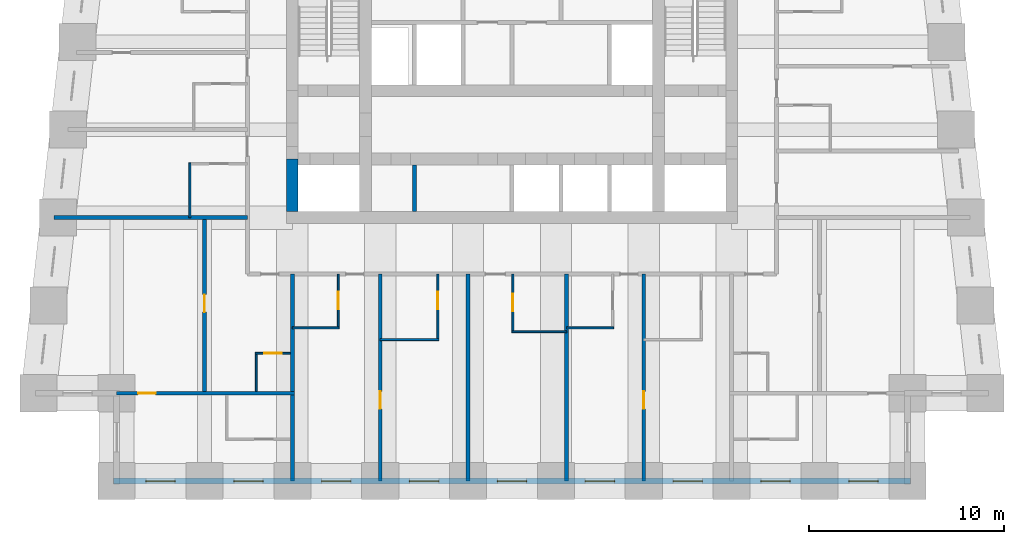
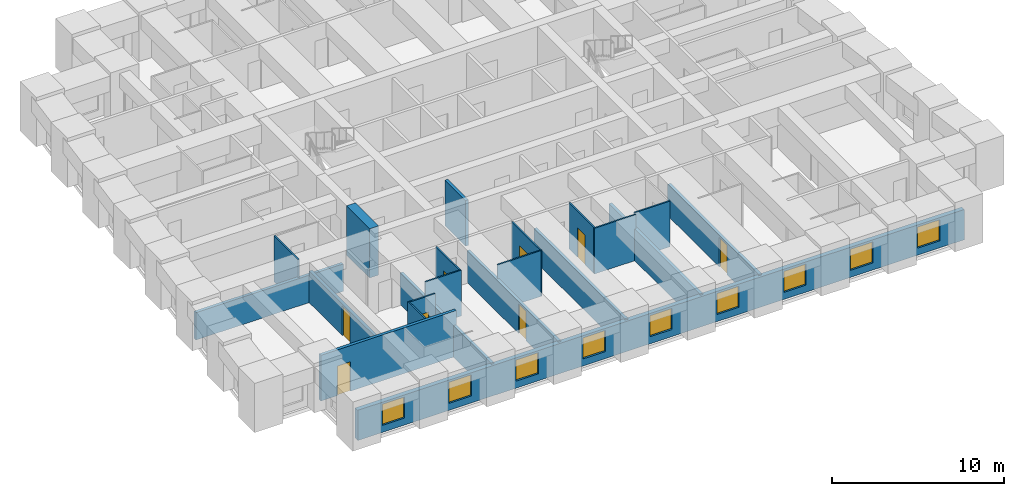
# One storey, part 2 of 8: 21 walls, 9 windows, 8 doors, 17 openings.
"""IFC4 building model written with IfcOpenShell, lengths in metres."""

from ifc_helpers import new_model, si_unit, direction, frame, frame_2d, origin, place, context, subcontext, project, spatial, rectangle, extrude, material, layer, layer_set, type_object, element, fill, save


model = new_model("IFC4")

# Units and contexts
model_context = context("Model", 3, precision=1e-05, world=origin(), true_north=direction((0.0, 1.0)))
body_context = subcontext(model_context, "Body", "Model", "MODEL_VIEW")
ifc_project = project(units=[si_unit("LENGTHUNIT", "METRE"), si_unit("AREAUNIT", "SQUARE_METRE"), si_unit("VOLUMEUNIT", "CUBIC_METRE"), si_unit("PLANEANGLEUNIT", "RADIAN"), si_unit("MASSUNIT", "GRAM", prefix="KILO")], contexts=[model_context])

# Site, building, storey
site_placement = place(None, origin())
site = spatial("IfcSite", under=ifc_project, at=site_placement, CompositionType="ELEMENT")
building_placement = place(site_placement, origin())
building = spatial("IfcBuilding", under=site, at=building_placement, Name="Kilele Tower Hotel", CompositionType="ELEMENT")
storey_placement = place(building_placement, frame((0.0, 0.0, 93.39990234375)))
storey = spatial("IfcBuildingStorey", under=building, at=storey_placement, Name="L23", CompositionType="ELEMENT", Elevation=93.39990234375)

# Wall
ifc_material_1 = material(Name="Moisture-resistant board")
ifc_layer_1 = layer(ifc_material_1, 0.10009765625)
ifc_layer_set_1 = layer_set([ifc_layer_1], Name="Moisture-resistant board")
wall_type_1 = type_object("IfcWallType", Name="Bathroom partition 100", PredefinedType="PLUMBINGWALL", material=ifc_layer_set_1)
wall_1_placement = place(storey_placement, frame((13.5, 7.85009765625, 0.0), z_axis=(0.0, 0.0, 1.0), x_axis=(1.0, 0.0, 0.0)))
element("IfcWall", 1, at=wall_1_placement, inside=storey, type_object=wall_type_1, Name="Bathroom partition 100 L23", PredefinedType="PLUMBINGWALL", context=body_context, shape_type="SweptSolid", body=[
    extrude(rectangle(XDim=2.39990234375, YDim=0.10009765625, at=frame_2d((1.199951171875, 0.0))), origin(), (0.0, 0.0, 1.0), 3.25),
])

# Wall, opening, door
wall_2_placement = place(storey_placement, frame((15.85009765625, 10.60009765625, 0.0), z_axis=(0.0, 0.0, 1.0), x_axis=(0.0, -1.0, 0.0)))
wall_2 = element("IfcWall", 2, at=wall_2_placement, inside=storey, type_object=wall_type_1, Name="Bathroom partition 100 L23", PredefinedType="PLUMBINGWALL", context=body_context, shape_type="SweptSolid", body=[
    extrude(rectangle(XDim=2.800048828125, YDim=0.10009765625, at=frame_2d((1.39990234375, 0.0))), origin(), (0.0, 0.0, 1.0), 3.25),
])
opening_1_placement = place(wall_2_placement, frame((0.89990234375, 0.0, 0.0)))
opening_1 = element("IfcOpeningElement", 3, at=opening_1_placement, cuts=wall_2, Name="Opening D2A", PredefinedType="OPENING", context=body_context, shape_type="SweptSolid", body=[
    extrude(rectangle(XDim=0.89990234375, YDim=2.10009765625, at=frame_2d((0.449951171875, 1.050048828125))), frame((0.0, 0.06005859375, 0.0), z_axis=(0.0, -1.0, 0.0), x_axis=(1.0, 0.0, 0.0)), (0.0, 0.0, 1.0), 0.1201171875),
])
ifc_material_2 = material(Name="Timber door leaf in hardwood frame", Category="wood")
door_type_1 = type_object("IfcDoorType", Name="Bathroom door 900", OperationType="SINGLE_SWING_LEFT", PredefinedType="DOOR", material=ifc_material_2)
door_1_placement = place(opening_1_placement, origin())
door_1 = element("IfcDoor", 4, at=door_1_placement, inside=storey, type_object=door_type_1, Name="Bathroom door 2301B", OperationType="SINGLE_SWING_LEFT", OverallHeight=2.10009765625, OverallWidth=0.89990234375, PredefinedType="DOOR", context=body_context, shape_type="SweptSolid", body=[
    extrude(rectangle(XDim=0.89990234375, YDim=2.10009765625, at=frame_2d((0.449951171875, 1.050048828125))), frame((0.0, 0.02490234375, 0.0), z_axis=(0.0, -1.0, 0.0), x_axis=(1.0, 0.0, 0.0)), (0.0, 0.0, 1.0), 0.050048828125),
])
fill(opening_1, door_1)

# Wall
wall_3_placement = place(storey_placement, frame((18.0, 7.25, 0.0), z_axis=(0.0, 0.0, 1.0), x_axis=(1.0, 0.0, 0.0)))
element("IfcWall", 5, at=wall_3_placement, inside=storey, type_object=wall_type_1, Name="Bathroom partition 100 L23", PredefinedType="PLUMBINGWALL", context=body_context, shape_type="SweptSolid", body=[
    extrude(rectangle(XDim=3.0, YDim=0.10009765625, at=frame_2d((1.5, 0.0))), origin(), (0.0, 0.0, 1.0), 3.25),
])

# Wall, opening, door
wall_4_placement = place(storey_placement, frame((20.949951171875, 10.60009765625, 0.0), z_axis=(0.0, 0.0, 1.0), x_axis=(0.0, -1.0, 0.0)))
wall_4 = element("IfcWall", 6, at=wall_4_placement, inside=storey, type_object=wall_type_1, Name="Bathroom partition 100 L23", PredefinedType="PLUMBINGWALL", context=body_context, shape_type="SweptSolid", body=[
    extrude(rectangle(XDim=3.400146484375, YDim=0.10009765625, at=frame_2d((1.7001953125, 0.0))), origin(), (0.0, 0.0, 1.0), 3.25),
])
opening_2_placement = place(wall_4_placement, frame((0.89990234375, 0.0, 0.0)))
opening_2 = element("IfcOpeningElement", 7, at=opening_2_placement, cuts=wall_4, Name="Opening D2A", PredefinedType="OPENING", context=body_context, shape_type="SweptSolid", body=[
    extrude(rectangle(XDim=0.89990234375, YDim=2.10009765625, at=frame_2d((0.449951171875, 1.050048828125))), frame((0.0, 0.06005859375, 0.0), z_axis=(0.0, -1.0, 0.0), x_axis=(1.0, 0.0, 0.0)), (0.0, 0.0, 1.0), 0.1201171875),
])
door_2_placement = place(opening_2_placement, origin())
door_2 = element("IfcDoor", 8, at=door_2_placement, inside=storey, type_object=door_type_1, Name="Bathroom door 2302B", OperationType="SINGLE_SWING_LEFT", OverallHeight=2.10009765625, OverallWidth=0.89990234375, PredefinedType="DOOR", context=body_context, shape_type="SweptSolid", body=[
    extrude(rectangle(XDim=0.89990234375, YDim=2.10009765625, at=frame_2d((0.449951171875, 1.050048828125))), frame((0.0, 0.02490234375, 0.0), z_axis=(0.0, -1.0, 0.0), x_axis=(1.0, 0.0, 0.0)), (0.0, 0.0, 1.0), 0.050048828125),
])
fill(opening_2, door_2)

# Wall
wall_5_placement = place(storey_placement, frame((24.75, 7.64990234375, 0.0), z_axis=(0.0, 0.0, 1.0), x_axis=(1.0, 0.0, 0.0)))
element("IfcWall", 9, at=wall_5_placement, inside=storey, type_object=wall_type_1, Name="Bathroom partition 100 L23", PredefinedType="PLUMBINGWALL", context=body_context, shape_type="SweptSolid", body=[
    extrude(rectangle(XDim=2.800048828125, YDim=0.10009765625, at=frame_2d((1.39990234375, 0.0))), origin(), (0.0, 0.0, 1.0), 3.25),
])

# Wall, opening, door
wall_6_placement = place(storey_placement, frame((24.800048828125, 10.60009765625, 0.0), z_axis=(0.0, 0.0, 1.0), x_axis=(0.0, -1.0, 0.0)))
wall_6 = element("IfcWall", 10, at=wall_6_placement, inside=storey, type_object=wall_type_1, Name="Bathroom partition 100 L23", PredefinedType="PLUMBINGWALL", context=body_context, shape_type="SweptSolid", body=[
    extrude(rectangle(XDim=3.0, YDim=0.10009765625, at=frame_2d((1.5, 0.0))), origin(), (0.0, 0.0, 1.0), 3.25),
])
opening_3_placement = place(wall_6_placement, frame((1.89990234375, 0.0, 0.0), z_axis=(0.0, 0.0, 1.0), x_axis=(-1.0, 0.0, 0.0)))
opening_3 = element("IfcOpeningElement", 11, at=opening_3_placement, cuts=wall_6, Name="Opening D2A", PredefinedType="OPENING", context=body_context, shape_type="SweptSolid", body=[
    extrude(rectangle(XDim=0.89990234375, YDim=2.10009765625, at=frame_2d((0.449951171875, 1.050048828125))), frame((0.0, 0.06005859375, 0.0), z_axis=(0.0, -1.0, 0.0), x_axis=(1.0, 0.0, 0.0)), (0.0, 0.0, 1.0), 0.1201171875),
])
door_3_placement = place(opening_3_placement, origin())
door_3 = element("IfcDoor", 12, at=door_3_placement, inside=storey, type_object=door_type_1, Name="Bathroom door 2303B", OperationType="SINGLE_SWING_RIGHT", OverallHeight=2.10009765625, OverallWidth=0.89990234375, PredefinedType="DOOR", context=body_context, shape_type="SweptSolid", body=[
    extrude(rectangle(XDim=0.89990234375, YDim=2.10009765625, at=frame_2d((0.449951171875, 1.050048828125))), frame((0.0, 0.02490234375, 0.0), z_axis=(0.0, -1.0, 0.0), x_axis=(1.0, 0.0, 0.0)), (0.0, 0.0, 1.0), 0.050048828125),
])
fill(opening_3, door_3)

# Walls
wall_7_placement = place(storey_placement, frame((27.550048828125, 7.85009765625, 0.0), z_axis=(0.0, 0.0, 1.0), x_axis=(1.0, 0.0, 0.0)))
element("IfcWall", 13, at=wall_7_placement, inside=storey, type_object=wall_type_1, Name="Bathroom partition 100 L23", PredefinedType="PLUMBINGWALL", context=body_context, shape_type="SweptSolid", body=[
    extrude(rectangle(XDim=2.39990234375, YDim=0.10009765625, at=frame_2d((1.199951171875, 0.0))), origin(), (0.0, 0.0, 1.0), 3.25),
])
wall_8_placement = place(storey_placement, frame((8.25, 13.5, 0.0), z_axis=(0.0, 0.0, 1.0), x_axis=(0.0, 1.0, 0.0)))
element("IfcWall", 14, at=wall_8_placement, inside=storey, type_object=wall_type_1, Name="Bathroom partition 100 L23", PredefinedType="PLUMBINGWALL", context=body_context, shape_type="SweptSolid", body=[
    extrude(rectangle(XDim=2.800048828125, YDim=0.10009765625, at=frame_2d((1.39990234375, 0.0))), origin(), (0.0, 0.0, 1.0), 3.25),
])
wall_9_placement = place(storey_placement, frame((11.64990234375, 4.60009765625, 0.0), z_axis=(0.0, 0.0, 1.0), x_axis=(0.0, 1.0, 0.0)))
element("IfcWall", 15, at=wall_9_placement, inside=storey, type_object=wall_type_1, Name="Bathroom partition 100 L23", PredefinedType="PLUMBINGWALL", context=body_context, shape_type="SweptSolid", body=[
    extrude(rectangle(XDim=2.0, YDim=0.10009765625, at=frame_2d((1.0, 0.0))), origin(), (0.0, 0.0, 1.0), 3.25),
])

# Wall, opening, door
wall_10_placement = place(storey_placement, frame((13.39990234375, 6.550048828125, 0.0), z_axis=(0.0, 0.0, 1.0), x_axis=(-1.0, 0.0, 0.0)))
wall_10 = element("IfcWall", 16, at=wall_10_placement, inside=storey, type_object=wall_type_1, Name="Bathroom partition 100 L23", PredefinedType="PLUMBINGWALL", context=body_context, shape_type="SweptSolid", body=[
    extrude(rectangle(XDim=1.7998046875, YDim=0.10009765625, at=frame_2d((0.89990234375, 0.0))), origin(), (0.0, 0.0, 1.0), 3.25),
])
opening_4_placement = place(wall_10_placement, frame((1.349853515625, 0.0, 0.0), z_axis=(0.0, 0.0, 1.0), x_axis=(-1.0, 0.0, 0.0)))
opening_4 = element("IfcOpeningElement", 17, at=opening_4_placement, cuts=wall_10, Name="Opening D2A", PredefinedType="OPENING", context=body_context, shape_type="SweptSolid", body=[
    extrude(rectangle(XDim=0.89990234375, YDim=2.10009765625, at=frame_2d((0.449951171875, 1.050048828125))), frame((0.0, 0.06005859375, 0.0), z_axis=(0.0, -1.0, 0.0), x_axis=(1.0, 0.0, 0.0)), (0.0, 0.0, 1.0), 0.1201171875),
])
door_4_placement = place(opening_4_placement, origin())
door_4 = element("IfcDoor", 18, at=door_4_placement, inside=storey, type_object=door_type_1, Name="Bathroom door 2317P", OperationType="SINGLE_SWING_RIGHT", OverallHeight=2.10009765625, OverallWidth=0.89990234375, PredefinedType="DOOR", context=body_context, shape_type="SweptSolid", body=[
    extrude(rectangle(XDim=0.89990234375, YDim=2.10009765625, at=frame_2d((0.449951171875, 1.050048828125))), frame((0.0, 0.02490234375, 0.0), z_axis=(0.0, -1.0, 0.0), x_axis=(1.0, 0.0, 0.0)), (0.0, 0.0, 1.0), 0.050048828125),
])
fill(opening_4, door_4)

# Wall
ifc_material_3 = material(Name="Concrete C60/75", Category="concrete")
ifc_layer_2 = layer(ifc_material_3, 0.60009765625)
ifc_layer_set_2 = layer_set([ifc_layer_2], Name="Concrete C60/75")
wall_type_2 = type_object("IfcWallType", Name="Core wall 600 C60/75", PredefinedType="SHEAR", material=ifc_layer_set_2)
wall_11_placement = place(storey_placement, frame((13.5, 16.5, 0.0), z_axis=(0.0, 0.0, 1.0), x_axis=(0.0, -1.0, 0.0)))
element("IfcWall", 19, at=wall_11_placement, inside=storey, type_object=wall_type_2, Name="Core wall W3 L23", PredefinedType="SHEAR", context=body_context, shape_type="SweptSolid", body=[
    extrude(rectangle(XDim=2.699951171875, YDim=0.60009765625, at=frame_2d((1.35009765625, 0.0))), origin(), (0.0, 0.0, 1.0), 3.5),
])

# Wall, opening, door
ifc_material_4 = material(Name="Blockwork, plastered both sides", Category="masonry")
ifc_layer_3 = layer(ifc_material_4, 0.199951171875)
ifc_layer_set_3 = layer_set([ifc_layer_3], Name="Blockwork, plastered both sides")
wall_type_3 = type_object("IfcWallType", Name="Partition wall 200", PredefinedType="PARTITIONING", material=ifc_layer_set_3)
wall_12_placement = place(storey_placement, frame((9.0, 4.60009765625, 0.0), z_axis=(0.0, 0.0, 1.0), x_axis=(0.0, 1.0, 0.0)))
wall_12 = element("IfcWall", 20, at=wall_12_placement, inside=storey, type_object=wall_type_3, Name="Partition wall 200 L23", PredefinedType="PARTITIONING", context=body_context, shape_type="SweptSolid", body=[
    extrude(rectangle(XDim=8.7998046875, YDim=0.199951171875, at=frame_2d((4.39990234375, 0.0))), origin(), (0.0, 0.0, 1.0), 2.25),
])
opening_5_placement = place(wall_12_placement, frame((4.050048828125, 0.0, 0.0)))
opening_5 = element("IfcOpeningElement", 21, at=opening_5_placement, cuts=wall_12, Name="Opening D3", PredefinedType="OPENING", context=body_context, shape_type="SweptSolid", body=[
    extrude(rectangle(XDim=0.89990234375, YDim=2.10009765625, at=frame_2d((0.449951171875, 1.050048828125))), frame((0.0, 0.10986328125, 0.0), z_axis=(0.0, -1.0, 0.0), x_axis=(1.0, 0.0, 0.0)), (0.0, 0.0, 1.0), 0.219970703125),
])
ifc_material_5 = material(Name="Timber door leaf in hardwood frame", Category="wood")
door_type_2 = type_object("IfcDoorType", Name="Suite internal door 900", OperationType="SINGLE_SWING_LEFT", PredefinedType="DOOR", material=ifc_material_5)
door_5_placement = place(opening_5_placement, origin())
door_5 = element("IfcDoor", 22, at=door_5_placement, inside=storey, type_object=door_type_2, Name="Suite door 2318", OperationType="SINGLE_SWING_RIGHT", OverallHeight=2.10009765625, OverallWidth=0.89990234375, PredefinedType="DOOR", context=body_context, shape_type="SweptSolid", body=[
    extrude(rectangle(XDim=0.89990234375, YDim=2.10009765625, at=frame_2d((0.449951171875, 1.050048828125))), frame((0.0, 0.02490234375, 0.0), z_axis=(0.0, -1.0, 0.0), x_axis=(1.0, 0.0, 0.0)), (0.0, 0.0, 1.0), 0.050048828125),
])
fill(opening_5, door_5)

ifc_material_6 = material(Name="Blockwork, plastered both sides", Category="masonry")
ifc_layer_4 = layer(ifc_material_6, 0.199951171875)
ifc_layer_set_4 = layer_set([ifc_layer_4], Name="Blockwork, plastered both sides")
wall_type_4 = type_object("IfcWallType", Name="Party wall 200", PredefinedType="PARTITIONING", material=ifc_layer_set_4)
wall_13_placement = place(storey_placement, frame((18.0, 10.60009765625, 0.0), z_axis=(0.0, 0.0, 1.0), x_axis=(0.0, -1.0, 0.0)))
wall_13 = element("IfcWall", 23, at=wall_13_placement, inside=storey, type_object=wall_type_4, Name="Party wall 200 L23", PredefinedType="PARTITIONING", context=body_context, shape_type="SweptSolid", body=[
    extrude(rectangle(XDim=10.60009765625, YDim=0.199951171875, at=frame_2d((5.300048828125, 0.0))), origin(), (0.0, 0.0, 1.0), 2.25),
])
opening_6_placement = place(wall_13_placement, frame((6.0, 0.0, 0.0)))
opening_6 = element("IfcOpeningElement", 24, at=opening_6_placement, cuts=wall_13, Name="Opening D3", PredefinedType="OPENING", context=body_context, shape_type="SweptSolid", body=[
    extrude(rectangle(XDim=0.89990234375, YDim=2.10009765625, at=frame_2d((0.449951171875, 1.050048828125))), frame((0.0, 0.10986328125, 0.0), z_axis=(0.0, -1.0, 0.0), x_axis=(1.0, 0.0, 0.0)), (0.0, 0.0, 1.0), 0.219970703125),
])
door_6_placement = place(opening_6_placement, origin())
door_6 = element("IfcDoor", 25, at=door_6_placement, inside=storey, type_object=door_type_2, Name="Suite door 2302", OperationType="SINGLE_SWING_RIGHT", OverallHeight=2.10009765625, OverallWidth=0.89990234375, PredefinedType="DOOR", context=body_context, shape_type="SweptSolid", body=[
    extrude(rectangle(XDim=0.89990234375, YDim=2.10009765625, at=frame_2d((0.449951171875, 1.050048828125))), frame((0.0, 0.02490234375, 0.0), z_axis=(0.0, -1.0, 0.0), x_axis=(1.0, 0.0, 0.0)), (0.0, 0.0, 1.0), 0.050048828125),
])
fill(opening_6, door_6)

# Walls
for number, where, z_axis, x_axis, name in (
    (26, (22.5, 10.60009765625, 0.0), (0.0, 0.0, 1.0), (0.0, -1.0, 0.0), "Party wall 200 L23"),
    (27, (27.550048828125, 10.60009765625, 0.0), (0.0, 0.0, 1.0), (0.0, -1.0, 0.0), "Party wall 200 L23"),
):
    element("IfcWall", number, at=place(storey_placement, frame(where, z_axis=z_axis, x_axis=x_axis)), inside=storey, type_object=wall_type_4, Name=name, PredefinedType="PARTITIONING", context=body_context, shape_type="SweptSolid", body=[
        extrude(rectangle(XDim=10.60009765625, YDim=0.199951171875, at=frame_2d((5.300048828125, 0.0))), origin(), (0.0, 0.0, 1.0), 2.25),
    ])

# Wall, opening, door
wall_14_placement = place(storey_placement, frame((31.5, 10.60009765625, 0.0), z_axis=(0.0, 0.0, 1.0), x_axis=(0.0, -1.0, 0.0)))
wall_14 = element("IfcWall", 28, at=wall_14_placement, inside=storey, type_object=wall_type_4, Name="Party wall 200 L23", PredefinedType="PARTITIONING", context=body_context, shape_type="SweptSolid", body=[
    extrude(rectangle(XDim=10.60009765625, YDim=0.199951171875, at=frame_2d((5.300048828125, 0.0))), origin(), (0.0, 0.0, 1.0), 2.25),
])
opening_7_placement = place(wall_14_placement, frame((6.0, 0.0, 0.0)))
opening_7 = element("IfcOpeningElement", 29, at=opening_7_placement, cuts=wall_14, Name="Opening D3", PredefinedType="OPENING", context=body_context, shape_type="SweptSolid", body=[
    extrude(rectangle(XDim=0.89990234375, YDim=2.10009765625, at=frame_2d((0.449951171875, 1.050048828125))), frame((0.0, 0.10986328125, 0.0), z_axis=(0.0, -1.0, 0.0), x_axis=(1.0, 0.0, 0.0)), (0.0, 0.0, 1.0), 0.219970703125),
])
door_7_placement = place(opening_7_placement, origin())
door_7 = element("IfcDoor", 30, at=door_7_placement, inside=storey, type_object=door_type_2, Name="Suite door 2305", OperationType="SINGLE_SWING_RIGHT", OverallHeight=2.10009765625, OverallWidth=0.89990234375, PredefinedType="DOOR", context=body_context, shape_type="SweptSolid", body=[
    extrude(rectangle(XDim=0.89990234375, YDim=2.10009765625, at=frame_2d((0.449951171875, 1.050048828125))), frame((0.0, 0.02490234375, 0.0), z_axis=(0.0, -1.0, 0.0), x_axis=(1.0, 0.0, 0.0)), (0.0, 0.0, 1.0), 0.050048828125),
])
fill(opening_7, door_7)

# Walls
wall_15_placement = place(storey_placement, frame((11.199951171875, 13.5, 0.0), z_axis=(0.0, 0.0, 1.0), x_axis=(-1.0, 0.0, 0.0)))
element("IfcWall", 31, at=wall_15_placement, inside=storey, type_object=wall_type_4, Name="Party wall 200 L23", PredefinedType="PARTITIONING", context=body_context, shape_type="SweptSolid", body=[
    extrude(rectangle(XDim=9.921142578125, YDim=0.199951171875, at=frame_2d((4.96044921875, 0.0))), origin(), (0.0, 0.0, 1.0), 1.9501953125),
])
wall_16_placement = place(storey_placement, frame((13.5, 10.60009765625, 0.0), z_axis=(0.0, 0.0, 1.0), x_axis=(0.0, -1.0, 0.0)))
element("IfcWall", 32, at=wall_16_placement, inside=storey, type_object=wall_type_4, Name="Party wall 200 L23", PredefinedType="PARTITIONING", context=body_context, shape_type="SweptSolid", body=[
    extrude(rectangle(XDim=10.60009765625, YDim=0.199951171875, at=frame_2d((5.300048828125, 0.0))), origin(), (0.0, 0.0, 1.0), 2.25),
])

# Wall, opening, door
wall_17_placement = place(storey_placement, frame((13.60009765625, 4.5, 0.0), z_axis=(0.0, 0.0, 1.0), x_axis=(-1.0, 0.0, 0.0)))
wall_17 = element("IfcWall", 33, at=wall_17_placement, inside=storey, type_object=wall_type_4, Name="Party wall 200 L23", PredefinedType="PARTITIONING", context=body_context, shape_type="SweptSolid", body=[
    extrude(rectangle(XDim=9.10009765625, YDim=0.199951171875, at=frame_2d((4.550048828125, 0.0))), origin(), (0.0, 0.0, 1.0), 3.25),
])
opening_8_placement = place(wall_17_placement, frame((7.10009765625, 0.0, 0.0)))
opening_8 = element("IfcOpeningElement", 34, at=opening_8_placement, cuts=wall_17, Name="Opening D3", PredefinedType="OPENING", context=body_context, shape_type="SweptSolid", body=[
    extrude(rectangle(XDim=0.89990234375, YDim=2.10009765625, at=frame_2d((0.449951171875, 1.050048828125))), frame((0.0, 0.10986328125, 0.0), z_axis=(0.0, -1.0, 0.0), x_axis=(1.0, 0.0, 0.0)), (0.0, 0.0, 1.0), 0.219970703125),
])
door_8_placement = place(opening_8_placement, origin())
door_8 = element("IfcDoor", 35, at=door_8_placement, inside=storey, type_object=door_type_2, Name="Suite door 2319", OperationType="SINGLE_SWING_RIGHT", OverallHeight=2.10009765625, OverallWidth=0.89990234375, PredefinedType="DOOR", context=body_context, shape_type="SweptSolid", body=[
    extrude(rectangle(XDim=0.89990234375, YDim=2.10009765625, at=frame_2d((0.449951171875, 1.050048828125))), frame((0.0, 0.02490234375, 0.0), z_axis=(0.0, -1.0, 0.0), x_axis=(1.0, 0.0, 0.0)), (0.0, 0.0, 1.0), 0.050048828125),
])
fill(opening_8, door_8)

# Wall, openings, windows
ifc_material_7 = material(Name="Concrete C40/50 precast", Category="concrete")
ifc_layer_5 = layer(ifc_material_7, 0.260009765625, Name="Precast backing", Category="LoadBearing")
ifc_material_8 = material(Name="Reconstituted stone finish", Category="masonry")
ifc_layer_6 = layer(ifc_material_8, 0.0400390625, Name="Face mix", Category="Finish")
ifc_layer_set_5 = layer_set([ifc_layer_5, ifc_layer_6], Name="Precast concrete C40/50, reconstituted stone finish")
wall_type_5 = type_object("IfcWallType", Name="Precast stone facade wall 300", PredefinedType="STANDARD", material=ifc_layer_set_5)
wall_18_placement = place(storey_placement, frame((4.35009765625, 0.0, 0.0), z_axis=(0.0, 0.0, 1.0), x_axis=(1.0, 0.0, 0.0)))
wall_18 = element("IfcWall", 36, at=wall_18_placement, inside=storey, type_object=wall_type_5, Name="Facade wall L23 edge 3", PredefinedType="STANDARD", context=body_context, shape_type="SweptSolid", body=[
    extrude(rectangle(XDim=40.7998046875, YDim=0.300048828125, at=frame_2d((20.39990234375, 0.0))), origin(), (0.0, 0.0, 1.0), 2.150146484375),
])
opening_9_placement = place(wall_18_placement, frame((1.64990234375, 0.0, 0.5)))
opening_9 = element("IfcOpeningElement", 37, at=opening_9_placement, cuts=wall_18, Name="Opening W2", PredefinedType="OPENING", context=body_context, shape_type="SweptSolid", body=[
    extrude(rectangle(XDim=1.5, YDim=1.5, at=frame_2d((0.75, 0.75))), frame((0.0, 0.159912109375, 0.0), z_axis=(0.0, -1.0, 0.0), x_axis=(1.0, 0.0, 0.0)), (0.0, 0.0, 1.0), 0.320068359375),
])
opening_10_placement = place(wall_18_placement, frame((6.14990234375, 0.0, 0.5)))
opening_10 = element("IfcOpeningElement", 38, at=opening_10_placement, cuts=wall_18, Name="Opening W2", PredefinedType="OPENING", context=body_context, shape_type="SweptSolid", body=[
    extrude(rectangle(XDim=1.5, YDim=1.5, at=frame_2d((0.75, 0.75))), frame((0.0, 0.159912109375, 0.0), z_axis=(0.0, -1.0, 0.0), x_axis=(1.0, 0.0, 0.0)), (0.0, 0.0, 1.0), 0.320068359375),
])
opening_11_placement = place(wall_18_placement, frame((10.64990234375, 0.0, 0.5)))
opening_11 = element("IfcOpeningElement", 39, at=opening_11_placement, cuts=wall_18, Name="Opening W2", PredefinedType="OPENING", context=body_context, shape_type="SweptSolid", body=[
    extrude(rectangle(XDim=1.5, YDim=1.5, at=frame_2d((0.75, 0.75))), frame((0.0, 0.159912109375, 0.0), z_axis=(0.0, -1.0, 0.0), x_axis=(1.0, 0.0, 0.0)), (0.0, 0.0, 1.0), 0.320068359375),
])
opening_12_placement = place(wall_18_placement, frame((15.14990234375, 0.0, 0.5)))
opening_12 = element("IfcOpeningElement", 40, at=opening_12_placement, cuts=wall_18, Name="Opening W2", PredefinedType="OPENING", context=body_context, shape_type="SweptSolid", body=[
    extrude(rectangle(XDim=1.5, YDim=1.5, at=frame_2d((0.75, 0.75))), frame((0.0, 0.159912109375, 0.0), z_axis=(0.0, -1.0, 0.0), x_axis=(1.0, 0.0, 0.0)), (0.0, 0.0, 1.0), 0.320068359375),
])
opening_13_placement = place(wall_18_placement, frame((19.64990234375, 0.0, 0.5)))
opening_13 = element("IfcOpeningElement", 41, at=opening_13_placement, cuts=wall_18, Name="Opening W2", PredefinedType="OPENING", context=body_context, shape_type="SweptSolid", body=[
    extrude(rectangle(XDim=1.5, YDim=1.5, at=frame_2d((0.75, 0.75))), frame((0.0, 0.159912109375, 0.0), z_axis=(0.0, -1.0, 0.0), x_axis=(1.0, 0.0, 0.0)), (0.0, 0.0, 1.0), 0.320068359375),
])
opening_14_placement = place(wall_18_placement, frame((24.14990234375, 0.0, 0.5)))
opening_14 = element("IfcOpeningElement", 42, at=opening_14_placement, cuts=wall_18, Name="Opening W2", PredefinedType="OPENING", context=body_context, shape_type="SweptSolid", body=[
    extrude(rectangle(XDim=1.5, YDim=1.5, at=frame_2d((0.75, 0.75))), frame((0.0, 0.159912109375, 0.0), z_axis=(0.0, -1.0, 0.0), x_axis=(1.0, 0.0, 0.0)), (0.0, 0.0, 1.0), 0.320068359375),
])
opening_15_placement = place(wall_18_placement, frame((28.64990234375, 0.0, 0.5)))
opening_15 = element("IfcOpeningElement", 43, at=opening_15_placement, cuts=wall_18, Name="Opening W2", PredefinedType="OPENING", context=body_context, shape_type="SweptSolid", body=[
    extrude(rectangle(XDim=1.5, YDim=1.5, at=frame_2d((0.75, 0.75))), frame((0.0, 0.159912109375, 0.0), z_axis=(0.0, -1.0, 0.0), x_axis=(1.0, 0.0, 0.0)), (0.0, 0.0, 1.0), 0.320068359375),
])
opening_16_placement = place(wall_18_placement, frame((33.14990234375, 0.0, 0.5)))
opening_16 = element("IfcOpeningElement", 44, at=opening_16_placement, cuts=wall_18, Name="Opening W2", PredefinedType="OPENING", context=body_context, shape_type="SweptSolid", body=[
    extrude(rectangle(XDim=1.5, YDim=1.5, at=frame_2d((0.75, 0.75))), frame((0.0, 0.159912109375, 0.0), z_axis=(0.0, -1.0, 0.0), x_axis=(1.0, 0.0, 0.0)), (0.0, 0.0, 1.0), 0.320068359375),
])
opening_17_placement = place(wall_18_placement, frame((37.64990234375, 0.0, 0.5)))
opening_17 = element("IfcOpeningElement", 45, at=opening_17_placement, cuts=wall_18, Name="Opening W2", PredefinedType="OPENING", context=body_context, shape_type="SweptSolid", body=[
    extrude(rectangle(XDim=1.5, YDim=1.5, at=frame_2d((0.75, 0.75))), frame((0.0, 0.159912109375, 0.0), z_axis=(0.0, -1.0, 0.0), x_axis=(1.0, 0.0, 0.0)), (0.0, 0.0, 1.0), 0.320068359375),
])
ifc_material_9 = material(Name="Aluminium frame, clear double glazing", Category="aluminium")
window_type = type_object("IfcWindowType", Name="Window W2 1500 x 1500", PartitioningType="SINGLE_PANEL", PredefinedType="WINDOW", material=ifc_material_9)
window_1_placement = place(opening_9_placement, origin())
window_1 = element("IfcWindow", 46, at=window_1_placement, inside=storey, type_object=window_type, Name="Window L23", OverallHeight=1.5, OverallWidth=1.5, PartitioningType="SINGLE_PANEL", PredefinedType="WINDOW", context=body_context, shape_type="SweptSolid", body=[
    extrude(rectangle(XDim=1.5, YDim=1.5, at=frame_2d((0.75, 0.75))), frame((0.0, 0.030029296875, 0.0), z_axis=(0.0, -1.0, 0.0), x_axis=(1.0, 0.0, 0.0)), (0.0, 0.0, 1.0), 0.06005859375),
])
fill(opening_9, window_1)
window_2_placement = place(opening_10_placement, origin())
window_2 = element("IfcWindow", 47, at=window_2_placement, inside=storey, type_object=window_type, Name="Window L23", OverallHeight=1.5, OverallWidth=1.5, PartitioningType="SINGLE_PANEL", PredefinedType="WINDOW", context=body_context, shape_type="SweptSolid", body=[
    extrude(rectangle(XDim=1.5, YDim=1.5, at=frame_2d((0.75, 0.75))), frame((0.0, 0.030029296875, 0.0), z_axis=(0.0, -1.0, 0.0), x_axis=(1.0, 0.0, 0.0)), (0.0, 0.0, 1.0), 0.06005859375),
])
fill(opening_10, window_2)
window_3_placement = place(opening_11_placement, origin())
window_3 = element("IfcWindow", 48, at=window_3_placement, inside=storey, type_object=window_type, Name="Window L23", OverallHeight=1.5, OverallWidth=1.5, PartitioningType="SINGLE_PANEL", PredefinedType="WINDOW", context=body_context, shape_type="SweptSolid", body=[
    extrude(rectangle(XDim=1.5, YDim=1.5, at=frame_2d((0.75, 0.75))), frame((0.0, 0.030029296875, 0.0), z_axis=(0.0, -1.0, 0.0), x_axis=(1.0, 0.0, 0.0)), (0.0, 0.0, 1.0), 0.06005859375),
])
fill(opening_11, window_3)
window_4_placement = place(opening_12_placement, origin())
window_4 = element("IfcWindow", 49, at=window_4_placement, inside=storey, type_object=window_type, Name="Window L23", OverallHeight=1.5, OverallWidth=1.5, PartitioningType="SINGLE_PANEL", PredefinedType="WINDOW", context=body_context, shape_type="SweptSolid", body=[
    extrude(rectangle(XDim=1.5, YDim=1.5, at=frame_2d((0.75, 0.75))), frame((0.0, 0.030029296875, 0.0), z_axis=(0.0, -1.0, 0.0), x_axis=(1.0, 0.0, 0.0)), (0.0, 0.0, 1.0), 0.06005859375),
])
fill(opening_12, window_4)
window_5_placement = place(opening_13_placement, origin())
window_5 = element("IfcWindow", 50, at=window_5_placement, inside=storey, type_object=window_type, Name="Window L23", OverallHeight=1.5, OverallWidth=1.5, PartitioningType="SINGLE_PANEL", PredefinedType="WINDOW", context=body_context, shape_type="SweptSolid", body=[
    extrude(rectangle(XDim=1.5, YDim=1.5, at=frame_2d((0.75, 0.75))), frame((0.0, 0.030029296875, 0.0), z_axis=(0.0, -1.0, 0.0), x_axis=(1.0, 0.0, 0.0)), (0.0, 0.0, 1.0), 0.06005859375),
])
fill(opening_13, window_5)
window_6_placement = place(opening_14_placement, origin())
window_6 = element("IfcWindow", 51, at=window_6_placement, inside=storey, type_object=window_type, Name="Window L23", OverallHeight=1.5, OverallWidth=1.5, PartitioningType="SINGLE_PANEL", PredefinedType="WINDOW", context=body_context, shape_type="SweptSolid", body=[
    extrude(rectangle(XDim=1.5, YDim=1.5, at=frame_2d((0.75, 0.75))), frame((0.0, 0.030029296875, 0.0), z_axis=(0.0, -1.0, 0.0), x_axis=(1.0, 0.0, 0.0)), (0.0, 0.0, 1.0), 0.06005859375),
])
fill(opening_14, window_6)
window_7_placement = place(opening_15_placement, origin())
window_7 = element("IfcWindow", 52, at=window_7_placement, inside=storey, type_object=window_type, Name="Window L23", OverallHeight=1.5, OverallWidth=1.5, PartitioningType="SINGLE_PANEL", PredefinedType="WINDOW", context=body_context, shape_type="SweptSolid", body=[
    extrude(rectangle(XDim=1.5, YDim=1.5, at=frame_2d((0.75, 0.75))), frame((0.0, 0.030029296875, 0.0), z_axis=(0.0, -1.0, 0.0), x_axis=(1.0, 0.0, 0.0)), (0.0, 0.0, 1.0), 0.06005859375),
])
fill(opening_15, window_7)
window_8_placement = place(opening_16_placement, origin())
window_8 = element("IfcWindow", 53, at=window_8_placement, inside=storey, type_object=window_type, Name="Window L23", OverallHeight=1.5, OverallWidth=1.5, PartitioningType="SINGLE_PANEL", PredefinedType="WINDOW", context=body_context, shape_type="SweptSolid", body=[
    extrude(rectangle(XDim=1.5, YDim=1.5, at=frame_2d((0.75, 0.75))), frame((0.0, 0.030029296875, 0.0), z_axis=(0.0, -1.0, 0.0), x_axis=(1.0, 0.0, 0.0)), (0.0, 0.0, 1.0), 0.06005859375),
])
fill(opening_16, window_8)
window_9_placement = place(opening_17_placement, origin())
window_9 = element("IfcWindow", 54, at=window_9_placement, inside=storey, type_object=window_type, Name="Window L23", OverallHeight=1.5, OverallWidth=1.5, PartitioningType="SINGLE_PANEL", PredefinedType="WINDOW", context=body_context, shape_type="SweptSolid", body=[
    extrude(rectangle(XDim=1.5, YDim=1.5, at=frame_2d((0.75, 0.75))), frame((0.0, 0.030029296875, 0.0), z_axis=(0.0, -1.0, 0.0), x_axis=(1.0, 0.0, 0.0)), (0.0, 0.0, 1.0), 0.06005859375),
])
fill(opening_17, window_9)

# Wall
ifc_material_10 = material(Name="Blockwork, fire-rated", Category="masonry")
ifc_layer_7 = layer(ifc_material_10, 0.199951171875)
ifc_layer_set_6 = layer_set([ifc_layer_7], Name="Blockwork, fire-rated")
wall_type_6 = type_object("IfcWallType", Name="Shaft wall 200", PredefinedType="PARTITIONING", material=ifc_layer_set_6)
wall_19_placement = place(storey_placement, frame((19.75, 13.800048828125, 0.0), z_axis=(0.0, 0.0, 1.0), x_axis=(0.0, 1.0, 0.0)))
element("IfcWall", 55, at=wall_19_placement, inside=storey, type_object=wall_type_6, Name="Shaft wall 200 L23", PredefinedType="PARTITIONING", context=body_context, shape_type="SweptSolid", body=[
    extrude(rectangle(XDim=2.39990234375, YDim=0.199951171875, at=frame_2d((1.199951171875, 0.0))), origin(), (0.0, 0.0, 1.0), 3.25),
])

save(model, "model.ifc")
